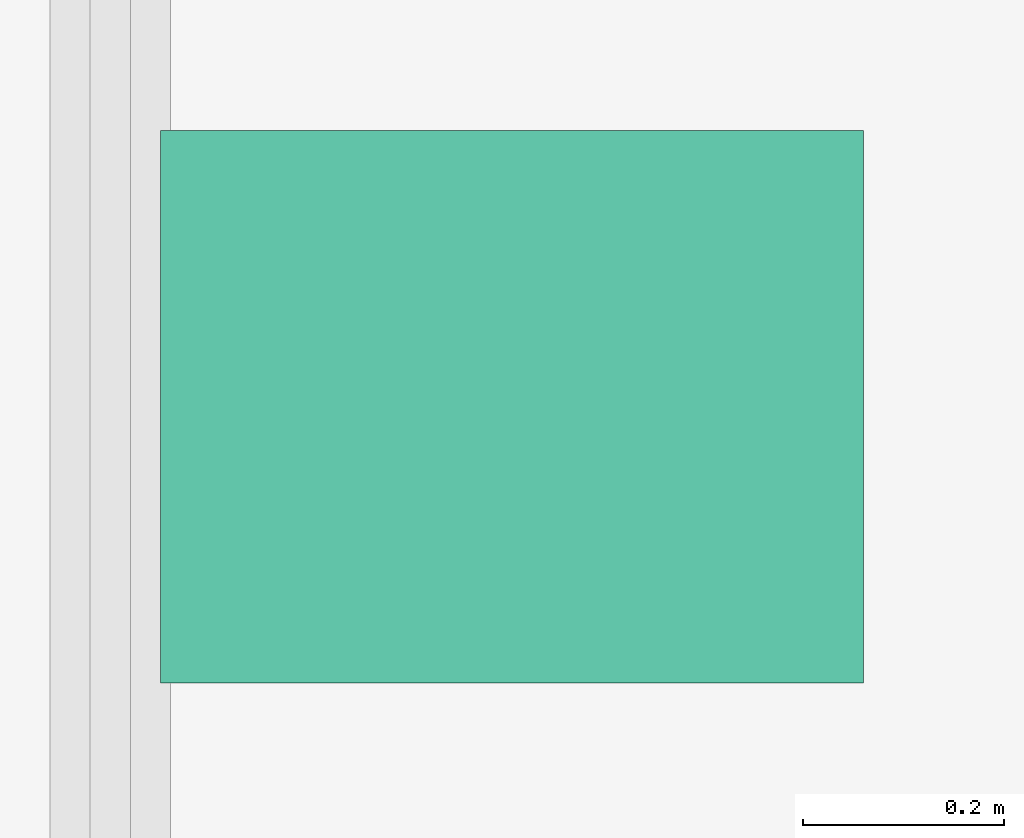
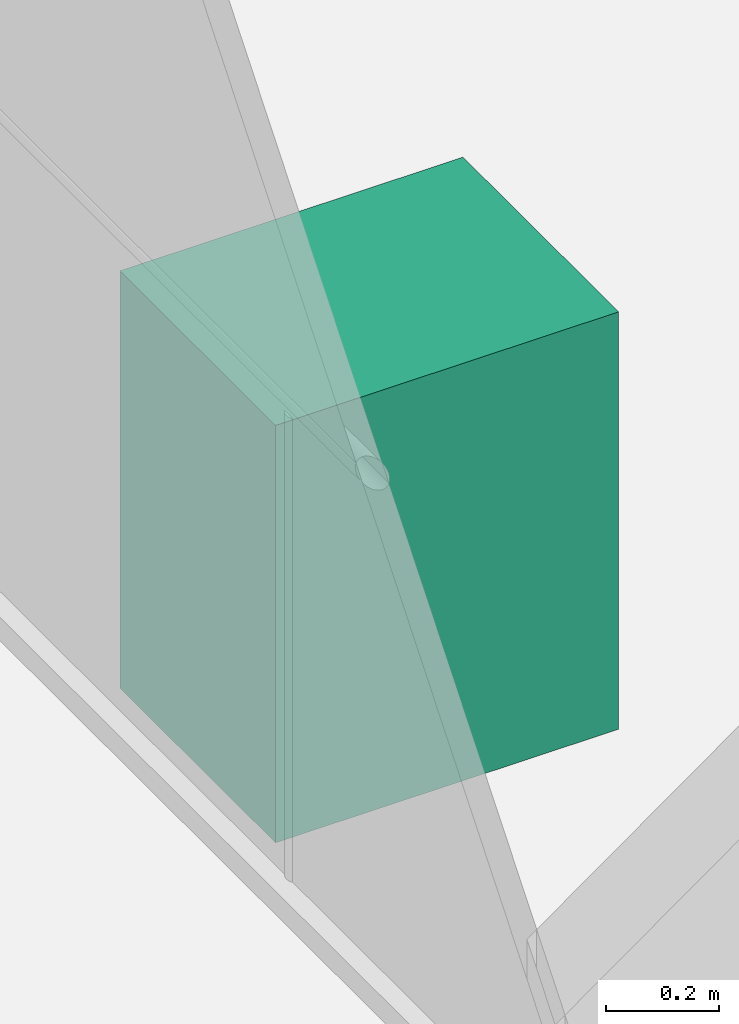
# One storey, part 19 of 19: 1 sanitary terminal.
"""IFC4 building model written with IfcOpenShell, lengths in metres."""

from ifc_helpers import new_model, si_unit, direction, frame, origin, origin_2d, place, context, subcontext, project, spatial, rectangle, extrude, material, type_object, element, save


model = new_model("IFC4")

# Units and contexts
model_context = context("Model", 3, precision=1e-05, world=origin(), true_north=direction((0.0, 1.0)))
body_context = subcontext(model_context, "Body", "Model", "MODEL_VIEW")
ifc_project = project(units=[si_unit("LENGTHUNIT", "METRE"), si_unit("AREAUNIT", "SQUARE_METRE"), si_unit("VOLUMEUNIT", "CUBIC_METRE"), si_unit("PLANEANGLEUNIT", "RADIAN"), si_unit("MASSUNIT", "GRAM", prefix="KILO")], contexts=[model_context])

# Site, building, storey
site_placement = place(None, origin())
site = spatial("IfcSite", under=ifc_project, at=site_placement, CompositionType="ELEMENT")
building_placement = place(site_placement, origin())
building = spatial("IfcBuilding", under=site, at=building_placement, Name="Tessera Gate Towers", CompositionType="ELEMENT")
storey_placement = place(building_placement, frame((0.0, 0.0, 259.699951171875)))
storey = spatial("IfcBuildingStorey", under=building, at=storey_placement, Name="L65", CompositionType="ELEMENT", Elevation=259.699951171875)

# Sanitary terminal
ifc_material = material(Name="Vitreous china")
sanitary_terminal_type = type_object("IfcSanitaryTerminalType", Name="SINK 700x550", PredefinedType="SINK", material=ifc_material)
sanitary_terminal_placement = place(storey_placement, frame((2.800048828125, 30.300048828125, 0.0), z_axis=(0.0, 0.0, 1.0), x_axis=(1.0, 0.0, 0.0)))
element("IfcSanitaryTerminal", 1, at=sanitary_terminal_placement, inside=storey, type_object=sanitary_terminal_type, Name="Sink", PredefinedType="SINK", context=body_context, shape_type="SweptSolid", body=[
    extrude(rectangle(XDim=0.699951171875, YDim=0.550048828125, at=origin_2d()), origin(), (0.0, 0.0, 1.0), 0.89990234375),
])

save(model, "model.ifc")
